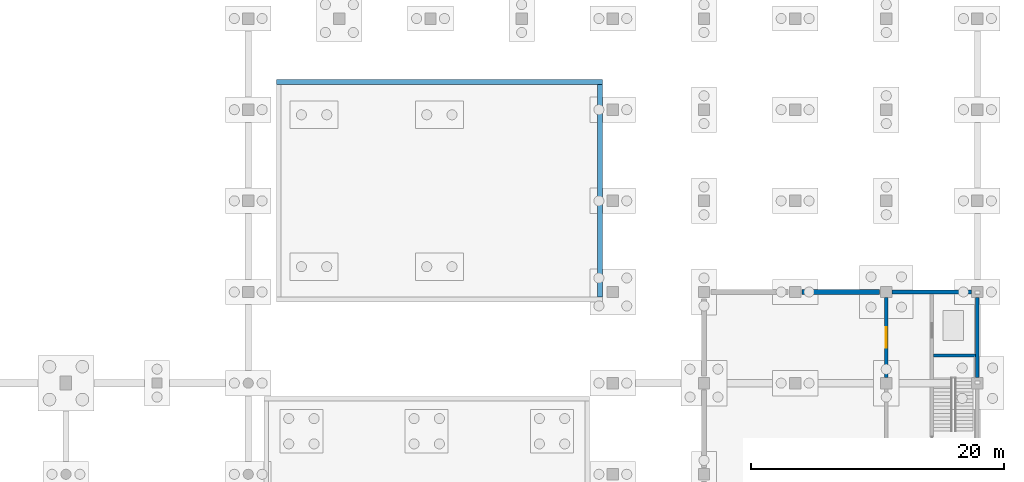
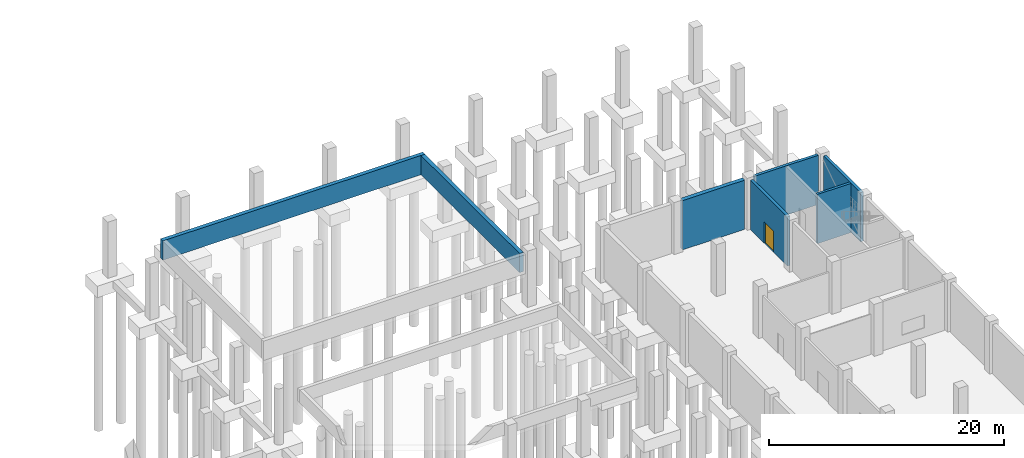
# One storey, part 26 of 35: 7 walls, 1 door, 1 opening.
"""IFC4 building model written with IfcOpenShell, lengths in metres."""

from ifc_helpers import new_model, si_unit, direction, frame, frame_2d, origin, place, context, subcontext, project, spatial, rectangle, extrude, material, layer, layer_set, type_object, element, fill, save


model = new_model("IFC4")

# Units and contexts
model_context = context("Model", 3, precision=1e-05, world=origin(), true_north=direction((0.0, 1.0)))
body_context = subcontext(model_context, "Body", "Model", "MODEL_VIEW")
ifc_project = project(units=[si_unit("LENGTHUNIT", "METRE"), si_unit("AREAUNIT", "SQUARE_METRE"), si_unit("VOLUMEUNIT", "CUBIC_METRE"), si_unit("PLANEANGLEUNIT", "RADIAN"), si_unit("MASSUNIT", "GRAM", prefix="KILO")], contexts=[model_context])

# Site, building, storey
site_placement = place(None, origin())
site = spatial("IfcSite", under=ifc_project, at=site_placement, CompositionType="ELEMENT")
building_placement = place(site_placement, origin())
building = spatial("IfcBuilding", under=site, at=building_placement, Name="Vesperath Aquatics Centre", CompositionType="ELEMENT")
storey_placement = place(building_placement, frame((0.0, 0.0, -5.39990234375)))
storey = spatial("IfcBuildingStorey", under=building, at=storey_placement, Name="B1", CompositionType="ELEMENT", Elevation=-5.39990234375)

# Walls
ifc_material_1 = material(Name="Concrete C40", Category="concrete")
ifc_layer_1 = layer(ifc_material_1, 0.3798828125)
ifc_layer_set_1 = layer_set([ifc_layer_1], Name="Concrete C40")
wall_type_1 = type_object("IfcWallType", Name="WL-PW03", PredefinedType="SOLIDWALL", material=ifc_layer_set_1)
wall_1_placement = place(storey_placement, frame((117.419921875, 110.18994140625, 3.39990234375), z_axis=(0.0, 0.0, 1.0), x_axis=(1.0, 0.0, 0.0)))
element("IfcWall", 1, at=wall_1_placement, inside=storey, type_object=wall_type_1, Name="Training and Warm-Up Pool Basin Wall PW03-N", PredefinedType="SOLIDWALL", context=body_context, shape_type="SweptSolid", body=[
    extrude(rectangle(XDim=25.760009765625, YDim=0.3798828125, at=frame_2d((12.8798828125, 0.0))), origin(), (0.0, 0.0, 1.0), 2.0),
])
wall_2_placement = place(storey_placement, frame((142.989990234375, 93.199951171875, 3.39990234375), z_axis=(0.0, 0.0, 1.0), x_axis=(0.0, 1.0, 0.0)))
element("IfcWall", 2, at=wall_2_placement, inside=storey, type_object=wall_type_1, Name="Training and Warm-Up Pool Basin Wall PW03-E", PredefinedType="SOLIDWALL", context=body_context, shape_type="SweptSolid", body=[
    extrude(rectangle(XDim=16.800048828125, YDim=0.3798828125, at=frame_2d((8.39990234375, 0.0))), origin(), (0.0, 0.0, 1.0), 2.0),
])
ifc_layer_2 = layer(ifc_material_1, 0.39990234375)
ifc_layer_set_2 = layer_set([ifc_layer_2], Name="Concrete C40")
wall_type_2 = type_object("IfcWallType", Name="WL-RW01", PredefinedType="USERDEFINED", material=ifc_layer_set_2)
wall_3_placement = place(storey_placement, frame((158.949951171875, 93.60009765625, 0.0), z_axis=(0.0, 0.0, 1.0), x_axis=(1.0, 0.0, 0.0)))
element("IfcWall", 3, at=wall_3_placement, inside=storey, type_object=wall_type_2, Name="Basement Retaining Wall RW01-H044", ObjectType="RETAININGWALL", PredefinedType="USERDEFINED", context=body_context, shape_type="SweptSolid", body=[
    extrude(rectangle(XDim=6.10009765625, YDim=0.39990234375, at=frame_2d((3.050048828125, 0.0))), origin(), (0.0, 0.0, 1.0), 5.119873046875),
])
ifc_layer_3 = layer(ifc_material_1, 0.280029296875)
ifc_layer_set_3 = layer_set([ifc_layer_3], Name="Concrete C40")
wall_type_3 = type_object("IfcWallType", Name="WL-SW02", PredefinedType="SHEAR", material=ifc_layer_set_3)
wall_4_placement = place(storey_placement, frame((166.050048828125, 93.60009765625, 0.0), z_axis=(0.0, 0.0, 1.0), x_axis=(1.0, 0.0, 0.0)))
element("IfcWall", 4, at=wall_4_placement, inside=storey, type_object=wall_type_3, Name="Core C4 North Shear Wall SW02 B1", PredefinedType="SHEAR", context=body_context, shape_type="SweptSolid", body=[
    extrude(rectangle(XDim=6.300048828125, YDim=0.280029296875, at=frame_2d((3.14990234375, 0.0))), origin(), (0.0, 0.0, 1.0), 5.119873046875),
])

# Wall, opening, door
wall_5_placement = place(storey_placement, frame((165.60009765625, 86.85009765625, 0.0), z_axis=(0.0, 0.0, 1.0), x_axis=(0.0, 1.0, 0.0)))
wall_5 = element("IfcWall", 5, at=wall_5_placement, inside=storey, type_object=wall_type_3, Name="Core C4 West-2 Shear Wall SW02 B1", PredefinedType="SHEAR", context=body_context, shape_type="SweptSolid", body=[
    extrude(rectangle(XDim=6.2998046875, YDim=0.280029296875, at=frame_2d((3.14990234375, 0.0))), origin(), (0.0, 0.0, 1.0), 5.119873046875),
])
opening_placement = place(wall_5_placement, frame((2.35009765625, 0.0, 0.0)))
opening = element("IfcOpeningElement", 6, at=opening_placement, cuts=wall_5, Name="Opening D02", PredefinedType="OPENING", context=body_context, shape_type="SweptSolid", body=[
    extrude(rectangle(XDim=1.60009765625, YDim=2.199951171875, at=frame_2d((0.800048828125, 1.10009765625))), frame((0.0, 0.15478515625, 0.0), z_axis=(0.0, -1.0, 0.0), x_axis=(1.0, 0.0, 0.0)), (0.0, 0.0, 1.0), 0.309814453125),
])
ifc_material_2 = material(Name="Glazed fire-rated lobby double door", Category="steel")
door_type = type_object("IfcDoorType", Name="DR-FD02", OperationType="DOUBLE_SWING_LEFT", PredefinedType="DOOR", material=ifc_material_2)
door_placement = place(opening_placement, origin())
door = element("IfcDoor", 7, at=door_placement, inside=storey, type_object=door_type, Name="Core C4 Lobby Fire Door D02 B1", OperationType="DOUBLE_SWING_LEFT", OverallHeight=2.199951171875, OverallWidth=1.60009765625, PredefinedType="DOOR", context=body_context, shape_type="SweptSolid", body=[
    extrude(rectangle(XDim=1.60009765625, YDim=2.199951171875, at=frame_2d((0.800048828125, 1.10009765625))), frame((0.0, 0.02490234375, 0.0), z_axis=(0.0, -1.0, 0.0), x_axis=(1.0, 0.0, 0.0)), (0.0, 0.0, 1.0), 0.050048828125),
])
fill(opening, door)

# Walls
wall_6_placement = place(storey_placement, frame((172.800048828125, 86.85009765625, 0.0), z_axis=(0.0, 0.0, 1.0), x_axis=(0.0, 1.0, 0.0)))
element("IfcWall", 8, at=wall_6_placement, inside=storey, type_object=wall_type_3, Name="Core C4 East-2 Shear Wall SW02 B1", PredefinedType="SHEAR", context=body_context, shape_type="SweptSolid", body=[
    extrude(rectangle(XDim=6.2998046875, YDim=0.280029296875, at=frame_2d((3.14990234375, 0.0))), origin(), (0.0, 0.0, 1.0), 5.119873046875),
])
ifc_layer_4 = layer(ifc_material_1, 0.25)
ifc_layer_set_4 = layer_set([ifc_layer_4], Name="Concrete C40")
wall_type_4 = type_object("IfcWallType", Name="WL-SW04", PredefinedType="SHEAR", material=ifc_layer_set_4)
wall_7_placement = place(storey_placement, frame((169.340087890625, 88.580078125, 0.0), z_axis=(0.0, 0.0, 1.0), x_axis=(1.0, 0.0, 0.0)))
element("IfcWall", 9, at=wall_7_placement, inside=storey, type_object=wall_type_4, Name="Core C4 Lift Shaft Wall SW04 B1", PredefinedType="SHEAR", context=body_context, shape_type="SweptSolid", body=[
    extrude(rectangle(XDim=3.2998046875, YDim=0.25, at=frame_2d((1.64990234375, 0.0))), origin(), (0.0, 0.0, 1.0), 5.119873046875),
])

save(model, "model.ifc")
